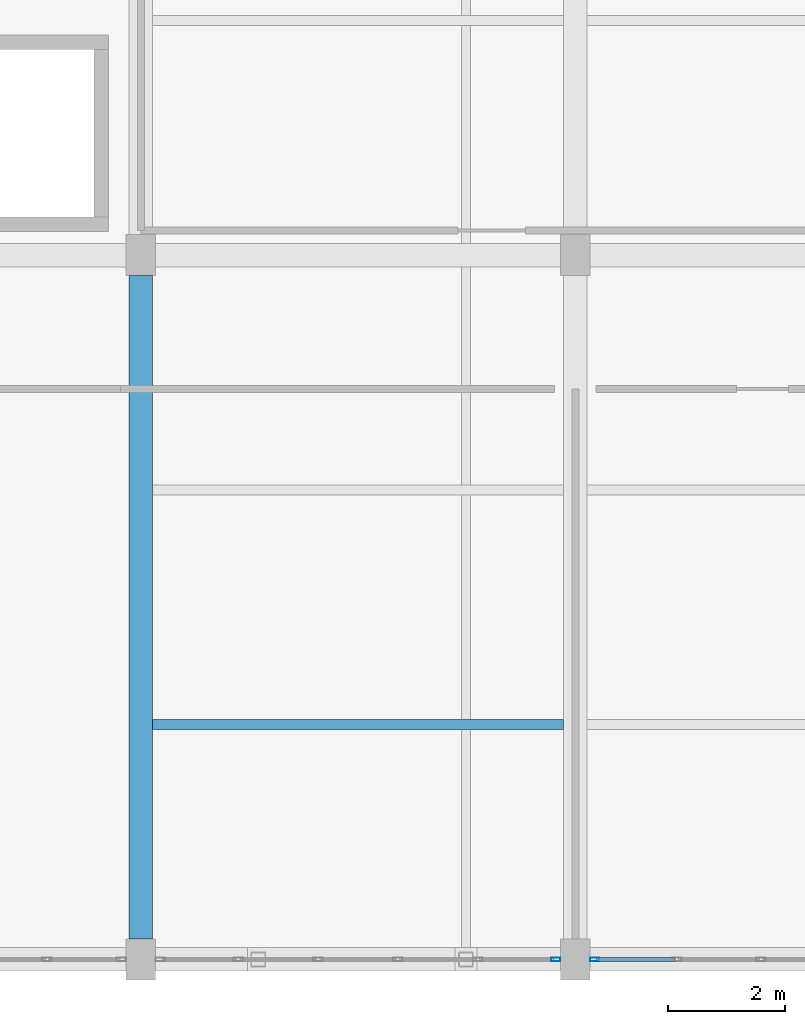
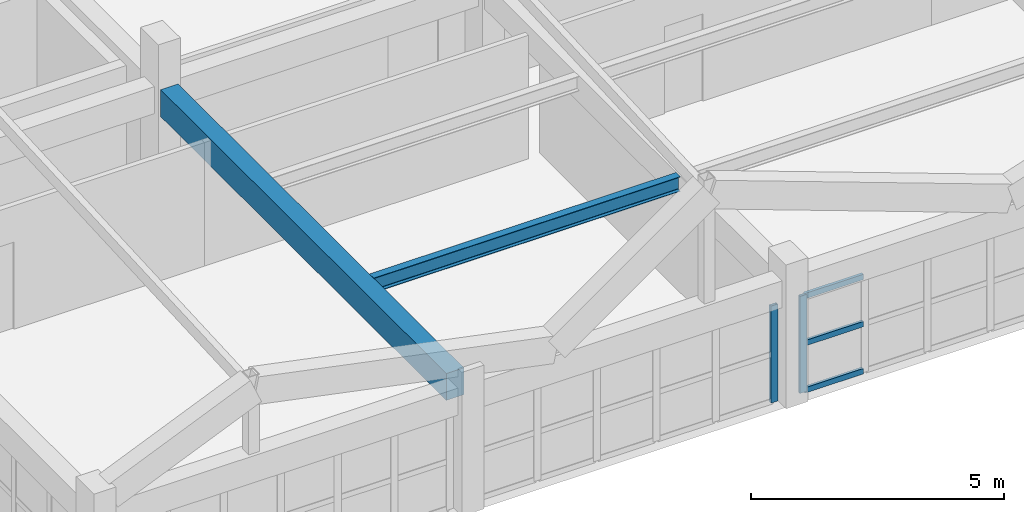
# One storey, part 15 of 127: 5 members, 2 beams, 2 elements without a shape of their own.
"""IFC4 building model written with IfcOpenShell, lengths in metres."""

from ifc_helpers import new_model, si_unit, direction, frame, origin, origin_2d, place, context, subcontext, project, spatial, rectangle, hollow_rectangle, i_section, extrude, material, material_profile, profile_set, type_object, element, aggregate, save


model = new_model("IFC4")

# Units and contexts
model_context = context("Model", 3, precision=1e-05, world=origin(), true_north=direction((0.0, 1.0)))
body_context = subcontext(model_context, "Body", "Model", "MODEL_VIEW")
ifc_project = project(units=[si_unit("LENGTHUNIT", "METRE"), si_unit("AREAUNIT", "SQUARE_METRE"), si_unit("VOLUMEUNIT", "CUBIC_METRE"), si_unit("PLANEANGLEUNIT", "RADIAN"), si_unit("MASSUNIT", "GRAM", prefix="KILO")], contexts=[model_context])

# Site, building, storey
site_placement = place(None, origin())
site = spatial("IfcSite", under=ifc_project, at=site_placement, CompositionType="ELEMENT")
building_placement = place(site_placement, origin())
building = spatial("IfcBuilding", under=site, at=building_placement, Name="Kestramere Prow Commons", CompositionType="ELEMENT")
storey_placement = place(building_placement, frame((0.0, 0.0, 8.39990234375)))
storey = spatial("IfcBuildingStorey", under=building, at=storey_placement, Name="L02", CompositionType="ELEMENT", Elevation=8.39990234375)

# Beam
ifc_material_1 = material(Name="Precast concrete C40/50", Category="concrete")
ifc_material_profile_1 = material_profile(ifc_material_1, rectangle(XDim=0.39990234375, YDim=0.64990234375, at=origin_2d()), Name="PC-BM 400x650")
ifc_profile_set_1 = profile_set([ifc_material_profile_1], Name="Precast concrete C40/50")
beam_type_1 = type_object("IfcBeamType", Name="BM-MK-01 PC-BM 400x650", PredefinedType="BEAM", material=ifc_profile_set_1)
beam_1_placement = place(storey_placement, frame((68.39990234375, 0.35009765625, 2.675048828125), z_axis=(0.0, 1.0, 0.0), x_axis=(-1.0, 0.0, 0.0)))
element("IfcBeam", 1, at=beam_1_placement, inside=storey, type_object=beam_type_1, Name="Market Spine L02 Beam Y 2-1", PredefinedType="BEAM", context=body_context, shape_type="SweptSolid", body=[
    extrude(rectangle(XDim=0.39990234375, YDim=0.64990234375, at=origin_2d()), origin(), (0.0, 0.0, 1.0), 11.2998046875),
])

# Curtain wall, member
ifc_material_2 = material(Name="Anodised Aluminium and Low-E Glass", Category="aluminium")
curtain_wall_type_1 = type_object("IfcCurtainWallType", Name="CW-29 Glazed Curtain Wall 6800x2340", PredefinedType="USERDEFINED", material=ifc_material_2)
curtain_wall_1_placement = place(storey_placement, origin())
curtain_wall_1 = element("IfcCurtainWall", 2, at=curtain_wall_1_placement, inside=storey, type_object=curtain_wall_type_1, Name="Market L02 South Shopfront 2", ObjectType="GLAZED CURTAIN WALL", PredefinedType="USERDEFINED")
ifc_material_3 = material(Name="Anodised Aluminium 6063-T6", Category="aluminium")
ifc_material_profile_2 = material_profile(ifc_material_3, hollow_rectangle(XDim=0.06494140625, YDim=0.159912109375, WallThickness=0.00390625, at=origin_2d()), Name="ALU-MUL 65x160")
ifc_profile_set_2 = profile_set([ifc_material_profile_2], Name="Anodised Aluminium 6063-T6")
member_type_1 = type_object("IfcMemberType", Name="CW-MUL-65x160", PredefinedType="MULLION", material=ifc_profile_set_2)
member_1_placement = place(storey_placement, frame((75.467529296875, 0.0, 0.0), z_axis=(0.0, 0.0, 1.0), x_axis=(0.0, -1.0, 0.0)))
member_1 = element("IfcMember", 3, at=member_1_placement, type_object=member_type_1, Name="CW-29 mullion 1", PredefinedType="MULLION", context=body_context, shape_type="SweptSolid", body=[
    extrude(hollow_rectangle(XDim=0.06494140625, YDim=0.159912109375, WallThickness=0.00390625, at=origin_2d()), origin(), (0.0, 0.0, 1.0), 2.340087890625),
])
aggregate(curtain_wall_1, [member_1])

# Curtain wall, members
curtain_wall_type_2 = type_object("IfcCurtainWallType", Name="CW-30 Glazed Curtain Wall 8600x2340", PredefinedType="USERDEFINED", material=ifc_material_2)
curtain_wall_2_placement = place(storey_placement, origin())
curtain_wall_2 = element("IfcCurtainWall", 4, at=curtain_wall_2_placement, inside=storey, type_object=curtain_wall_type_2, Name="Market L02 South Shopfront 3", ObjectType="GLAZED CURTAIN WALL", PredefinedType="USERDEFINED")
member_2_placement = place(storey_placement, frame((76.132568359375, 0.0, 0.0), z_axis=(0.0, 0.0, 1.0), x_axis=(0.0, -1.0, 0.0)))
member_2 = element("IfcMember", 5, at=member_2_placement, type_object=member_type_1, Name="CW-30 mullion 7", PredefinedType="MULLION", context=body_context, shape_type="SweptSolid", body=[
    extrude(hollow_rectangle(XDim=0.06494140625, YDim=0.159912109375, WallThickness=0.00390625, at=origin_2d()), origin(), (0.0, 0.0, 1.0), 2.340087890625),
])
ifc_material_profile_3 = material_profile(ifc_material_3, hollow_rectangle(XDim=0.06494140625, YDim=0.1298828125, WallThickness=0.00390625, at=origin_2d()), Name="ALU-TRN 65x130")
ifc_profile_set_3 = profile_set([ifc_material_profile_3], Name="Anodised Aluminium 6063-T6")
member_type_2 = type_object("IfcMemberType", Name="CW-TRN-65x130", PredefinedType="USERDEFINED", material=ifc_profile_set_3)
member_3_placement = place(storey_placement, frame((77.500732421875, 0.0, 0.03271484375), z_axis=(-1.0, 0.0, 0.0), x_axis=(0.0, -1.0, 0.0)))
member_3 = element("IfcMember", 6, at=member_3_placement, type_object=member_type_2, Name="CW-30 transom 6.1", ObjectType="TRANSOM", PredefinedType="USERDEFINED", context=body_context, shape_type="SweptSolid", body=[
    extrude(hollow_rectangle(XDim=0.06494140625, YDim=0.1298828125, WallThickness=0.00390625, at=origin_2d()), origin(), (0.0, 0.0, 1.0), 1.335693359375),
])
member_4_placement = place(storey_placement, frame((77.500732421875, 0.0, 1.170166015625), z_axis=(-1.0, 0.0, 0.0), x_axis=(0.0, -1.0, 0.0)))
member_4 = element("IfcMember", 7, at=member_4_placement, type_object=member_type_2, Name="CW-30 transom 6.2", ObjectType="TRANSOM", PredefinedType="USERDEFINED", context=body_context, shape_type="SweptSolid", body=[
    extrude(hollow_rectangle(XDim=0.06494140625, YDim=0.1298828125, WallThickness=0.00390625, at=origin_2d()), origin(), (0.0, 0.0, 1.0), 1.335693359375),
])
member_5_placement = place(storey_placement, frame((77.500732421875, 0.0, 2.3076171875), z_axis=(-1.0, 0.0, 0.0), x_axis=(0.0, -1.0, 0.0)))
member_5 = element("IfcMember", 8, at=member_5_placement, type_object=member_type_2, Name="CW-30 transom 6.3", ObjectType="TRANSOM", PredefinedType="USERDEFINED", context=body_context, shape_type="SweptSolid", body=[
    extrude(hollow_rectangle(XDim=0.06494140625, YDim=0.1298828125, WallThickness=0.00390625, at=origin_2d()), origin(), (0.0, 0.0, 1.0), 1.335693359375),
])
aggregate(curtain_wall_2, [member_2, member_3, member_4, member_5])

# Beam
ifc_material_4 = material(Name="Steel S355JR", Category="steel")
ifc_material_profile_4 = material_profile(ifc_material_4, i_section(OverallWidth=0.17138671875, OverallDepth=0.35498046875, WebThickness=0.00732421875, FlangeThickness=0.011474609375, FilletRadius=0.01025390625, at=origin_2d()), Name="UB 356x171x51")
ifc_profile_set_4 = profile_set([ifc_material_profile_4], Name="Steel S355JR")
beam_type_2 = type_object("IfcBeamType", Name="JST-MK-01 UB 356x171x51", PredefinedType="JOIST", material=ifc_profile_set_4)
beam_2_placement = place(storey_placement, frame((68.60009765625, 4.0, 2.822509765625), z_axis=(1.0, 0.0, 0.0), x_axis=(0.0, 1.0, 0.0)))
element("IfcBeam", 9, at=beam_2_placement, inside=storey, type_object=beam_type_2, Name="Market Spine L02 Secondary Joist 2-4", PredefinedType="JOIST", context=body_context, shape_type="SweptSolid", body=[
    extrude(i_section(OverallWidth=0.17138671875, OverallDepth=0.35498046875, WebThickness=0.00732421875, FlangeThickness=0.011474609375, FilletRadius=0.01025390625, at=origin_2d()), origin(), (0.0, 0.0, 1.0), 7.0),
])

save(model, "model.ifc")
